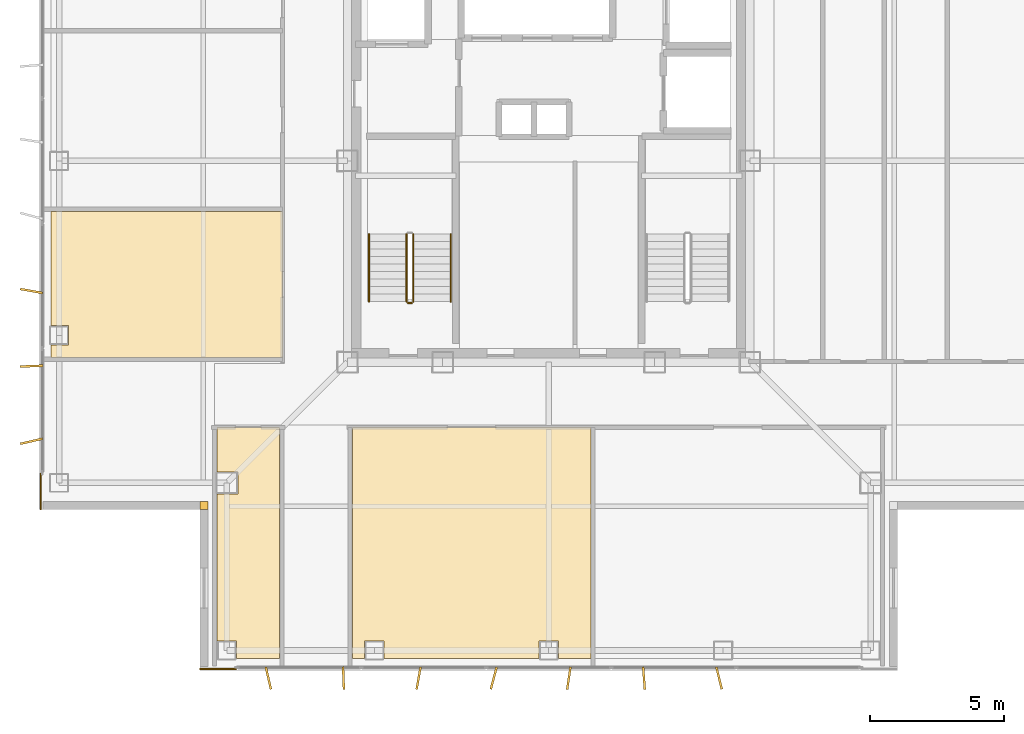
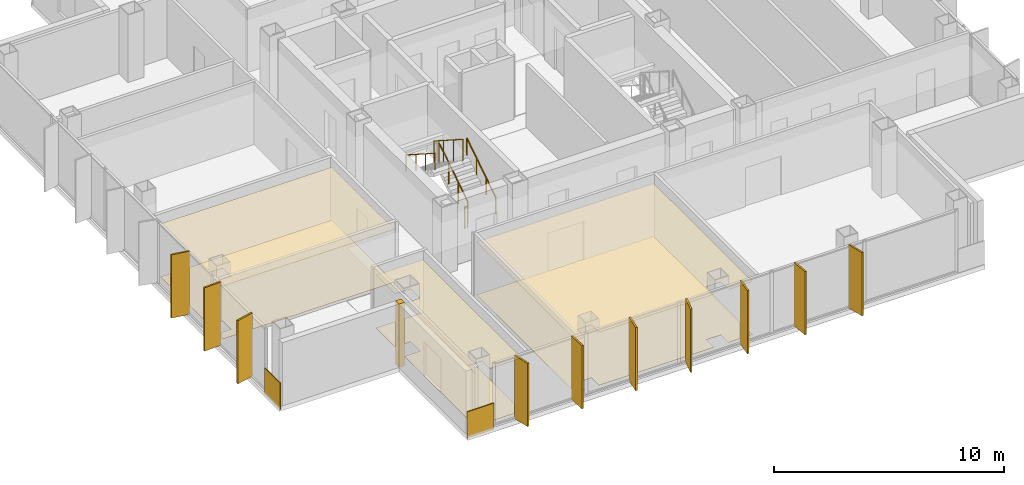
# One storey, part 10 of 15: 10 shading devices, 9 coverings, 5 railings.
"""IFC4 building model written with IfcOpenShell, lengths in metres."""

from ifc_helpers import new_model, si_unit, direction, frame, frame_2d, origin, origin_2d, place, context, subcontext, project, spatial, polyline, rectangle, circle, outline, extrude, material, layer, layer_set, type_object, element, save


model = new_model("IFC4")

# Units and contexts
model_context = context("Model", 3, precision=1e-05, world=origin(), true_north=direction((0.0, 1.0)))
body_context = subcontext(model_context, "Body", "Model", "MODEL_VIEW")
ifc_project = project(units=[si_unit("LENGTHUNIT", "METRE"), si_unit("AREAUNIT", "SQUARE_METRE"), si_unit("VOLUMEUNIT", "CUBIC_METRE"), si_unit("PLANEANGLEUNIT", "RADIAN"), si_unit("MASSUNIT", "GRAM", prefix="KILO")], contexts=[model_context])

# Site, building, storey
site_placement = place(None, origin())
site = spatial("IfcSite", under=ifc_project, at=site_placement, CompositionType="ELEMENT")
building_placement = place(site_placement, origin())
building = spatial("IfcBuilding", under=site, at=building_placement, Name="Trevonay Congress Spire", CompositionType="ELEMENT")
storey_placement = place(building_placement, frame((0.0, 0.0, 282.800048828125)))
storey = spatial("IfcBuildingStorey", under=building, at=storey_placement, Name="L74", CompositionType="ELEMENT", Elevation=282.800048828125)

# Coverings
ifc_material_1 = material(Name="Acoustic Mineral Fibre Board", Category="gypsum")
ifc_layer_1 = layer(ifc_material_1, 0.02490234375, Name="Acoustic Mineral Fibre Board")
ifc_layer_set_1 = layer_set([ifc_layer_1], Name="Acoustic Mineral Fibre Board")
covering_type_1 = type_object("IfcCoveringType", Name="COV-CEIL-ACOUSTIC", PredefinedType="CEILING", material=ifc_layer_set_1)
covering_1_placement = place(storey_placement, frame((0.0, 0.0, 2.81005859375)))
element("IfcCovering", 1, at=covering_1_placement, inside=storey, type_object=covering_type_1, Name="L74 Managing Director Suite Office acoustic suspended ceiling", PredefinedType="CEILING", context=body_context, shape_type="SweptSolid", body=[
    extrude(outline(polyline([(-12.3701171875, -18.550048828125), (-12.3701171875, -12.409912109375), (-11.590087890625, -12.409912109375), (-11.590087890625, -11.590087890625), (-12.3701171875, -11.590087890625), (-12.3701171875, -9.929931640625), (-10.030029296875, -9.929931640625), (-10.030029296875, -18.550048828125), (-11.639892578125, -18.550048828125), (-11.639892578125, -17.889892578125), (-12.360107421875, -17.889892578125), (-12.360107421875, -18.550048828125), (-12.3701171875, -18.550048828125)])), origin(), (0.0, 0.0, 1.0), 0.02490234375),
])
covering_2_placement = place(storey_placement, frame((0.0, 0.0, 2.81005859375)))
element("IfcCovering", 2, at=covering_2_placement, inside=storey, type_object=covering_type_1, Name="L74 Investment Committee Boardroom acoustic suspended ceiling", PredefinedType="CEILING", context=body_context, shape_type="SweptSolid", body=[
    extrude(outline(polyline([(-7.320068359375, -18.550048828125), (-7.320068359375, -9.929931640625), (1.570068359375, -9.929931640625), (1.570068359375, -18.550048828125), (0.360107421875, -18.550048828125), (0.360107421875, -17.889892578125), (-0.360107421875, -17.889892578125), (-0.360107421875, -18.550048828125), (-6.139892578125, -18.550048828125), (-6.139892578125, -17.889892578125), (-6.860107421875, -17.889892578125), (-6.860107421875, -18.550048828125), (-7.320068359375, -18.550048828125)])), origin(), (0.0, 0.0, 1.0), 0.02490234375),
])
covering_3_placement = place(storey_placement, frame((0.0, 0.0, 2.81005859375)))
element("IfcCovering", 3, at=covering_3_placement, inside=storey, type_object=covering_type_1, Name="L74 Green Bonds Desk Office acoustic suspended ceiling", PredefinedType="CEILING", context=body_context, shape_type="SweptSolid", body=[
    extrude(outline(polyline([(-18.550048828125, -1.8798828125), (-9.929931640625, -1.8798828125), (-9.929931640625, -7.320068359375), (-18.550048828125, -7.320068359375), (-18.550048828125, -6.860107421875), (-17.889892578125, -6.860107421875), (-17.889892578125, -6.139892578125), (-18.550048828125, -6.139892578125), (-18.550048828125, -1.8798828125)])), origin(), (0.0, 0.0, 1.0), 0.02490234375),
])
ifc_material_2 = material(Name="Engineered Oak Flooring", Category="wood")
ifc_layer_2 = layer(ifc_material_2, 0.01806640625, Name="Engineered Oak Flooring")
ifc_layer_set_2 = layer_set([ifc_layer_2], Name="Engineered Oak Flooring")
covering_type_2 = type_object("IfcCoveringType", Name="COV-FLOOR-TIMBER", PredefinedType="FLOORING", material=ifc_layer_set_2)
covering_4_placement = place(storey_placement, origin())
element("IfcCovering", 4, at=covering_4_placement, inside=storey, type_object=covering_type_2, Name="L74 Managing Director Suite Office floor finish", PredefinedType="FLOORING", context=body_context, shape_type="SweptSolid", body=[
    extrude(outline(polyline([(-12.3701171875, -18.550048828125), (-12.3701171875, -12.409912109375), (-11.590087890625, -12.409912109375), (-11.590087890625, -11.590087890625), (-12.3701171875, -11.590087890625), (-12.3701171875, -9.929931640625), (-10.030029296875, -9.929931640625), (-10.030029296875, -18.550048828125), (-11.639892578125, -18.550048828125), (-11.639892578125, -17.889892578125), (-12.360107421875, -17.889892578125), (-12.360107421875, -18.550048828125), (-12.3701171875, -18.550048828125)])), origin(), (0.0, 0.0, 1.0), 0.01806640625),
])
covering_5_placement = place(storey_placement, origin())
element("IfcCovering", 5, at=covering_5_placement, inside=storey, type_object=covering_type_2, Name="L74 Investment Committee Boardroom floor finish", PredefinedType="FLOORING", context=body_context, shape_type="SweptSolid", body=[
    extrude(outline(polyline([(-7.320068359375, -18.550048828125), (-7.320068359375, -9.929931640625), (1.570068359375, -9.929931640625), (1.570068359375, -18.550048828125), (0.360107421875, -18.550048828125), (0.360107421875, -17.889892578125), (-0.360107421875, -17.889892578125), (-0.360107421875, -18.550048828125), (-6.139892578125, -18.550048828125), (-6.139892578125, -17.889892578125), (-6.860107421875, -17.889892578125), (-6.860107421875, -18.550048828125), (-7.320068359375, -18.550048828125)])), origin(), (0.0, 0.0, 1.0), 0.01806640625),
])
covering_6_placement = place(storey_placement, origin())
element("IfcCovering", 6, at=covering_6_placement, inside=storey, type_object=covering_type_2, Name="L74 Green Bonds Desk Office floor finish", PredefinedType="FLOORING", context=body_context, shape_type="SweptSolid", body=[
    extrude(outline(polyline([(-18.550048828125, -1.8798828125), (-9.929931640625, -1.8798828125), (-9.929931640625, -7.320068359375), (-18.550048828125, -7.320068359375), (-18.550048828125, -6.860107421875), (-17.889892578125, -6.860107421875), (-17.889892578125, -6.139892578125), (-18.550048828125, -6.139892578125), (-18.550048828125, -1.8798828125)])), origin(), (0.0, 0.0, 1.0), 0.01806640625),
])
ifc_material_3 = material(Name="Pale Anodised Aluminium EN AW-6063-T6", Category="aluminium")
ifc_layer_3 = layer(ifc_material_3, 0.0400390625, Name="Pale Anodised Aluminium EN AW-6063-T6")
ifc_layer_set_3 = layer_set([ifc_layer_3], Name="Pale Anodised Aluminium EN AW-6063-T6")
covering_type_3 = type_object("IfcCoveringType", Name="COV-SPANDREL-PALE-METAL", PredefinedType="CLADDING", material=ifc_layer_set_3)
covering_7_placement = place(storey_placement, origin())
element("IfcCovering", 7, at=covering_7_placement, inside=storey, type_object=covering_type_3, Name="L74 SW re-entrant notch corner closure trim", PredefinedType="CLADDING", context=body_context, shape_type="SweptSolid", body=[
    extrude(outline(polyline([(-13.0, -13.0), (-12.699951171875, -13.0), (-12.699951171875, -12.699951171875), (-13.0, -12.699951171875), (-13.0, -13.0)])), origin(), (0.0, 0.0, 1.0), 3.35986328125),
])
for number, where, z_axis, x_axis, name in (
    (8, (-18.93994140625, -11.64990234375, -0.150146484375), (0.0, 0.0, 1.0), (0.0, -1.0, 0.0), "L74 SW corner pier spandrel cladding 1"),
    (9, (-11.64990234375, -18.93994140625, -0.150146484375), (0.0, 0.0, 1.0), (-1.0, 0.0, 0.0), "L74 SW corner pier spandrel cladding 2"),
):
    element("IfcCovering", number, at=place(storey_placement, frame(where, z_axis=z_axis, x_axis=x_axis)), inside=storey, type_object=covering_type_3, Name=name, PredefinedType="CLADDING", context=body_context, shape_type="SweptSolid", body=[
        extrude(rectangle(XDim=1.35009765625, YDim=0.0400390625, at=frame_2d((0.675048828125, 0.0))), origin(), (0.0, 0.0, 1.0), 1.400146484375),
    ])

# Railings
railing_type_1 = type_object("IfcRailingType", Name="RAL-STAIR-GUARD-110", PredefinedType="GUARDRAIL", material=ifc_material_3)
railing_1_placement = place(storey_placement, frame((-5.050048828125, -5.25, 0.179931640625)))
element("IfcRailing", 10, at=railing_1_placement, inside=storey, type_object=railing_type_1, Name="L74 ST-1 stair guard 1", PredefinedType="GUARDRAIL", context=body_context, shape_type="SweptSolid", body=[
    extrude(circle(Radius=0.02392578125, at=origin_2d()), frame((0.0, 0.0, 1.1259765625), z_axis=(0.0, 0.841162588446, 0.540782303519), x_axis=(-1.0, 0.0, 0.0)), (0.0, 0.0, 1.0), 2.995849609375),
    extrude(circle(Radius=0.02099609375, at=origin_2d()), origin(), (0.0, 0.0, 1.0), 1.101806640625),
    extrude(circle(Radius=0.02099609375, at=origin_2d()), frame((0.0, 0.840087890625, 0.5400390625)), (0.0, 0.0, 1.0), 1.101806640625),
    extrude(circle(Radius=0.02099609375, at=origin_2d()), frame((0.0, 1.679931640625, 1.080078125)), (0.0, 0.0, 1.0), 1.101806640625),
    extrude(circle(Radius=0.02099609375, at=origin_2d()), frame((0.0, 2.52001953125, 1.6201171875)), (0.0, 0.0, 1.0), 1.101806640625),
])
railing_2_placement = place(storey_placement, frame((-5.300048828125, -2.72998046875, 1.97998046875)))
element("IfcRailing", 11, at=railing_2_placement, inside=storey, type_object=railing_type_1, Name="L74 ST-1 stair guard 3", PredefinedType="GUARDRAIL", context=body_context, shape_type="SweptSolid", body=[
    extrude(circle(Radius=0.02392578125, at=origin_2d()), frame((0.0, 0.0, 1.1259765625), z_axis=(0.0, -0.841199657755, 0.540724639528), x_axis=(1.0, 0.0, 0.0)), (0.0, 0.0, 1.0), 2.995849609375),
    extrude(circle(Radius=0.02099609375, at=origin_2d()), origin(), (0.0, 0.0, 1.0), 1.101806640625),
    extrude(circle(Radius=0.02099609375, at=origin_2d()), frame((0.0, -0.840087890625, 0.5400390625)), (0.0, 0.0, 1.0), 1.101806640625),
    extrude(circle(Radius=0.02099609375, at=origin_2d()), frame((0.0, -1.679931640625, 1.079833984375)), (0.0, 0.0, 1.0), 1.101806640625),
    extrude(circle(Radius=0.02099609375, at=origin_2d()), frame((0.0, -2.52001953125, 1.619873046875)), (0.0, 0.0, 1.0), 1.101806640625),
])
railing_3_placement = place(storey_placement, frame((-5.10009765625, -5.300048828125, 0.0)))
element("IfcRailing", 12, at=railing_3_placement, inside=storey, type_object=railing_type_1, Name="L74 ST-1 stair guard 4", PredefinedType="GUARDRAIL", context=body_context, shape_type="SweptSolid", body=[
    extrude(circle(Radius=0.02392578125, at=origin_2d()), frame((0.0, 0.0, 1.1259765625), z_axis=(-1.0, 0.0, 0.0), x_axis=(0.0, -1.0, 0.0)), (0.0, 0.0, 1.0), 0.14990234375),
    extrude(circle(Radius=0.02099609375, at=origin_2d()), origin(), (0.0, 0.0, 1.0), 1.101806640625),
    extrude(circle(Radius=0.02099609375, at=origin_2d()), frame((-0.14990234375, 0.0, 0.0)), (0.0, 0.0, 1.0), 1.101806640625),
])
railing_type_2 = type_object("IfcRailingType", Name="RAL-STAIR-HANDRAIL", PredefinedType="HANDRAIL", material=ifc_material_3)
railing_4_placement = place(storey_placement, frame((-3.64990234375, -5.25, 0.179931640625)))
element("IfcRailing", 13, at=railing_4_placement, inside=storey, type_object=railing_type_2, Name="L74 ST-1 stair handrail 1", PredefinedType="HANDRAIL", context=body_context, shape_type="SweptSolid", body=[
    extrude(circle(Radius=0.02392578125, at=origin_2d()), frame((0.0, 0.0, 0.8759765625), z_axis=(0.0, 0.841162588446, 0.540782303519), x_axis=(-1.0, 0.0, 0.0)), (0.0, 0.0, 1.0), 2.995849609375),
    extrude(circle(Radius=0.02099609375, at=origin_2d()), origin(), (0.0, 0.0, 1.0), 0.851806640625),
    extrude(circle(Radius=0.02099609375, at=origin_2d()), frame((0.0, 0.840087890625, 0.5400390625)), (0.0, 0.0, 1.0), 0.851806640625),
    extrude(circle(Radius=0.02099609375, at=origin_2d()), frame((0.0, 1.679931640625, 1.080078125)), (0.0, 0.0, 1.0), 0.851806640625),
    extrude(circle(Radius=0.02099609375, at=origin_2d()), frame((0.0, 2.52001953125, 1.6201171875)), (0.0, 0.0, 1.0), 0.851806640625),
])
railing_5_placement = place(storey_placement, frame((-6.699951171875, -2.72998046875, 1.97998046875)))
element("IfcRailing", 14, at=railing_5_placement, inside=storey, type_object=railing_type_2, Name="L74 ST-1 stair handrail 2", PredefinedType="HANDRAIL", context=body_context, shape_type="SweptSolid", body=[
    extrude(circle(Radius=0.02392578125, at=origin_2d()), frame((0.0, 0.0, 0.8759765625), z_axis=(0.0, -0.841199657755, 0.540724639528), x_axis=(1.0, 0.0, 0.0)), (0.0, 0.0, 1.0), 2.995849609375),
    extrude(circle(Radius=0.02099609375, at=origin_2d()), origin(), (0.0, 0.0, 1.0), 0.851806640625),
    extrude(circle(Radius=0.02099609375, at=origin_2d()), frame((0.0, -0.840087890625, 0.5400390625)), (0.0, 0.0, 1.0), 0.851806640625),
    extrude(circle(Radius=0.02099609375, at=origin_2d()), frame((0.0, -1.679931640625, 1.079833984375)), (0.0, 0.0, 1.0), 0.851806640625),
    extrude(circle(Radius=0.02099609375, at=origin_2d()), frame((0.0, -2.52001953125, 1.619873046875)), (0.0, 0.0, 1.0), 0.851806640625),
])

# Shading devices
shading_device_type = type_object("IfcShadingDeviceType", Name="SHD-FIN-Z4-PALE-METAL", PredefinedType="USERDEFINED", material=ifc_material_3)
for number, where, z_axis, x_axis, name in (
    (15, (-10.449951171875, -19.280029296875, 0.0), (0.0, 0.0, 1.0), (0.97440931131, 0.224780991261, 0.0), "L74 S vertical pale-metal solar fin 1"),
    (16, (-7.64990234375, -19.280029296875, 0.0), (0.0, 0.0, 1.0), (0.999235873152, 0.039085416795, 0.0), "L74 S vertical pale-metal solar fin 2"),
    (17, (-4.85009765625, -19.280029296875, 0.0), (0.0, 0.0, 1.0), (0.984195607969, -0.17708474032, 0.0), "L74 S vertical pale-metal solar fin 3"),
    (18, (-2.050048828125, -19.280029296875, 0.0), (0.0, 0.0, 1.0), (0.966106280664, -0.258144638645, 0.0), "L74 S vertical pale-metal solar fin 4"),
    (19, (0.75, -19.280029296875, 0.0), (0.0, 0.0, 1.0), (0.989144474801, -0.146946275799, 0.0), "L74 S vertical pale-metal solar fin 5"),
    (20, (3.550048828125, -19.280029296875, 0.0), (0.0, 0.0, 1.0), (0.997025911491, 0.077067060513, 0.0), "L74 S vertical pale-metal solar fin 6"),
    (21, (6.35009765625, -19.280029296875, 0.0), (0.0, 0.0, 1.0), (0.970464383152, 0.241244442494, 0.0), "L74 S vertical pale-metal solar fin 7"),
    (22, (-19.280029296875, -10.449951171875, 0.0), (0.0, 0.0, 1.0), (-0.224780991261, 0.97440931131, 0.0), "L74 W vertical pale-metal solar fin 1"),
    (23, (-19.280029296875, -7.64990234375, 0.0), (0.0, 0.0, 1.0), (-0.039085416795, 0.999235873152, 0.0), "L74 W vertical pale-metal solar fin 2"),
    (24, (-19.280029296875, -4.85009765625, 0.0), (0.0, 0.0, 1.0), (0.17708474032, 0.984195607969, 0.0), "L74 W vertical pale-metal solar fin 3"),
):
    element("IfcShadingDevice", number, at=place(storey_placement, frame(where, z_axis=z_axis, x_axis=x_axis)), inside=storey, type_object=shading_device_type, Name=name, ObjectType="SOLAR FIN", PredefinedType="USERDEFINED", context=body_context, shape_type="SweptSolid", body=[
        extrude(rectangle(XDim=0.080078125, YDim=0.85009765625, at=origin_2d()), origin(), (0.0, 0.0, 1.0), 3.360107421875),
    ])

save(model, "model.ifc")
